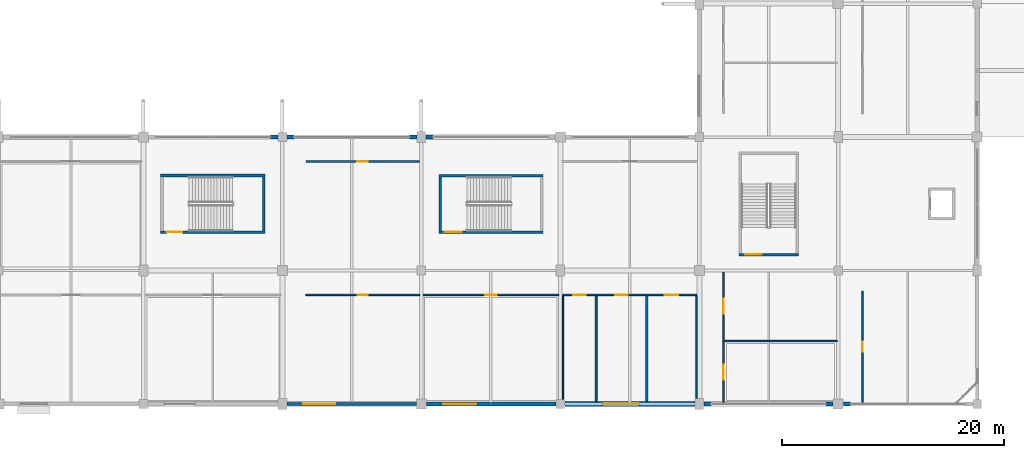
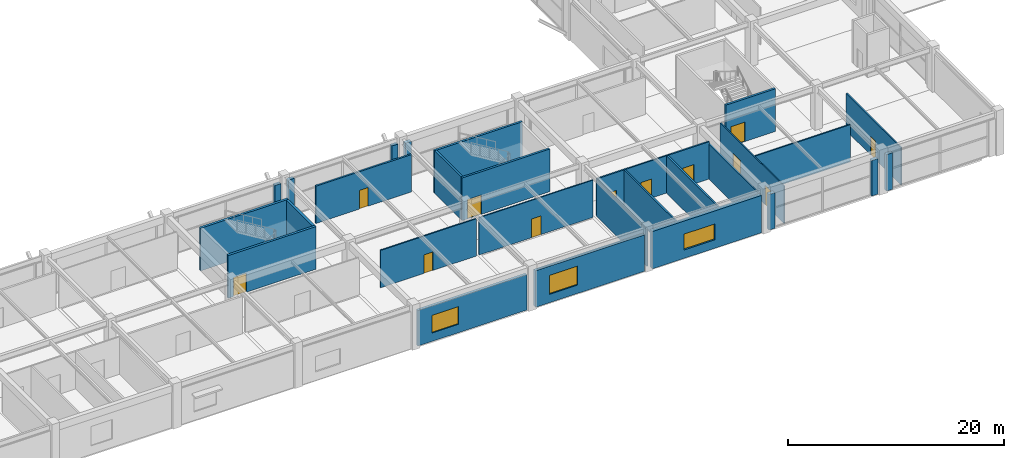
# One storey, part 74 of 116: 28 walls, 12 doors, 3 windows, 15 openings.
"""IFC4 building model written with IfcOpenShell, lengths in metres."""

from ifc_helpers import new_model, si_unit, direction, frame, frame_2d, origin, place, context, subcontext, project, spatial, rectangle, extrude, material, layer, layer_set, type_object, element, fill, save


model = new_model("IFC4")

# Units and contexts
model_context = context("Model", 3, precision=1e-05, world=origin(), true_north=direction((0.0, 1.0)))
body_context = subcontext(model_context, "Body", "Model", "MODEL_VIEW")
ifc_project = project(units=[si_unit("LENGTHUNIT", "METRE"), si_unit("AREAUNIT", "SQUARE_METRE"), si_unit("VOLUMEUNIT", "CUBIC_METRE"), si_unit("PLANEANGLEUNIT", "RADIAN"), si_unit("MASSUNIT", "GRAM", prefix="KILO")], contexts=[model_context])

# Site, building, storey
site_placement = place(None, origin())
site = spatial("IfcSite", under=ifc_project, at=site_placement, CompositionType="ELEMENT")
building_placement = place(site_placement, origin())
building = spatial("IfcBuilding", under=site, at=building_placement, Name="Kazenohara Klinker Stadium", CompositionType="ELEMENT")
storey_placement = place(building_placement, frame((0.0, 0.0, 10.199951171875)))
storey = spatial("IfcBuildingStorey", under=building, at=storey_placement, Name="L02", CompositionType="ELEMENT", Elevation=10.199951171875)

# Wall, opening, door
ifc_material_1 = material(Name="Concrete C40/50", Category="concrete")
ifc_layer_1 = layer(ifc_material_1, 0.22998046875)
ifc_layer_set_1 = layer_set([ifc_layer_1], Name="Concrete C40/50")
wall_type_1 = type_object("IfcWallType", Name="WAL-CORE-230", PredefinedType="SHEAR", material=ifc_layer_set_1)
wall_1_placement = place(storey_placement, frame((178.590087890625, 25.43505859375, 0.0), z_axis=(0.0, 0.0, 1.0), x_axis=(1.0, 0.0, 0.0)))
wall_1 = element("IfcWall", 1, at=wall_1_placement, inside=storey, type_object=wall_type_1, Name="Stairwell shear wall ST16 L02 South", PredefinedType="SHEAR", context=body_context, shape_type="SweptSolid", body=[
    extrude(rectangle(XDim=5.31982421875, YDim=0.22998046875, at=frame_2d((2.659912109375, 0.0))), origin(), (0.0, 0.0, 1.0), 4.820068359375),
])
opening_1_placement = place(wall_1_placement, frame((0.550048828125, 0.0, 0.0)))
opening_1 = element("IfcOpeningElement", 2, at=opening_1_placement, cuts=wall_1, Name="Opening SD02", PredefinedType="OPENING", context=body_context, shape_type="SweptSolid", body=[
    extrude(rectangle(XDim=1.5, YDim=2.199951171875, at=frame_2d((0.75, 1.10009765625))), frame((0.0, 0.125, 0.0), z_axis=(0.0, -1.0, 0.0), x_axis=(1.0, 0.0, 0.0)), (0.0, 0.0, 1.0), 0.25),
])
ifc_material_2 = material(Name="Flush painted steel fire door leaf", Category="steel")
door_type_1 = type_object("IfcDoorType", Name="DR-STR-1500x2200", OperationType="NOTDEFINED", PredefinedType="DOOR", material=ifc_material_2)
door_1_placement = place(opening_1_placement, origin())
door_1 = element("IfcDoor", 3, at=door_1_placement, inside=storey, type_object=door_type_1, Name="Escape stairwell fire door ST16-L02", OperationType="SINGLE_SWING_LEFT", OverallHeight=2.199951171875, OverallWidth=1.5, PredefinedType="DOOR", context=body_context, shape_type="SweptSolid", body=[
    extrude(rectangle(XDim=1.5, YDim=2.199951171875, at=frame_2d((0.75, 1.10009765625))), frame((0.0, 0.02490234375, 0.0), z_axis=(0.0, -1.0, 0.0), x_axis=(1.0, 0.0, 0.0)), (0.0, 0.0, 1.0), 0.050048828125),
])
fill(opening_1, door_1)

wall_2_placement = place(storey_placement, frame((151.570068359375, 27.455078125, 0.0), z_axis=(0.0, 0.0, 1.0), x_axis=(1.0, 0.0, 0.0)))
wall_2 = element("IfcWall", 4, at=wall_2_placement, inside=storey, type_object=wall_type_1, Name="Stairwell shear wall ST28 L02 South", PredefinedType="SHEAR", context=body_context, shape_type="SweptSolid", body=[
    extrude(rectangle(XDim=9.35986328125, YDim=0.22998046875, at=frame_2d((4.679931640625, 0.0))), origin(), (0.0, 0.0, 1.0), 4.820068359375),
])
opening_2_placement = place(wall_2_placement, frame((0.550048828125, 0.0, 0.0)))
opening_2 = element("IfcOpeningElement", 5, at=opening_2_placement, cuts=wall_2, Name="Opening SD02", PredefinedType="OPENING", context=body_context, shape_type="SweptSolid", body=[
    extrude(rectangle(XDim=1.5, YDim=2.199951171875, at=frame_2d((0.75, 1.10009765625))), frame((0.0, 0.125, 0.0), z_axis=(0.0, -1.0, 0.0), x_axis=(1.0, 0.0, 0.0)), (0.0, 0.0, 1.0), 0.25),
])
door_2_placement = place(opening_2_placement, origin())
door_2 = element("IfcDoor", 6, at=door_2_placement, inside=storey, type_object=door_type_1, Name="Escape stairwell fire door ST28-L02", OperationType="SINGLE_SWING_LEFT", OverallHeight=2.199951171875, OverallWidth=1.5, PredefinedType="DOOR", context=body_context, shape_type="SweptSolid", body=[
    extrude(rectangle(XDim=1.5, YDim=2.199951171875, at=frame_2d((0.75, 1.10009765625))), frame((0.0, 0.02490234375, 0.0), z_axis=(0.0, -1.0, 0.0), x_axis=(1.0, 0.0, 0.0)), (0.0, 0.0, 1.0), 0.050048828125),
])
fill(opening_2, door_2)

# Walls
wall_3_placement = place(storey_placement, frame((151.570068359375, 32.544921875, 0.0), z_axis=(0.0, 0.0, 1.0), x_axis=(1.0, 0.0, 0.0)))
element("IfcWall", 7, at=wall_3_placement, inside=storey, type_object=wall_type_1, Name="Stairwell shear wall ST28 L02 North", PredefinedType="SHEAR", context=body_context, shape_type="SweptSolid", body=[
    extrude(rectangle(XDim=9.35986328125, YDim=0.22998046875, at=frame_2d((4.679931640625, 0.0))), origin(), (0.0, 0.0, 1.0), 4.820068359375),
])
wall_4_placement = place(storey_placement, frame((151.68505859375, 27.570068359375, 0.0), z_axis=(0.0, 0.0, 1.0), x_axis=(0.0, 1.0, 0.0)))
element("IfcWall", 8, at=wall_4_placement, inside=storey, type_object=wall_type_1, Name="Stairwell shear wall ST28 L02 West", PredefinedType="SHEAR", context=body_context, shape_type="SweptSolid", body=[
    extrude(rectangle(XDim=4.85986328125, YDim=0.22998046875, at=frame_2d((2.429931640625, 0.0))), origin(), (0.0, 0.0, 1.0), 4.820068359375),
])

# Wall, opening, door
ifc_layer_2 = layer(ifc_material_1, 0.25)
ifc_layer_set_2 = layer_set([ifc_layer_2], Name="Concrete C40/50")
wall_type_2 = type_object("IfcWallType", Name="WAL-CORE-250", PredefinedType="SHEAR", material=ifc_layer_set_2)
wall_5_placement = place(storey_placement, frame((126.550048828125, 27.455078125, 0.0), z_axis=(0.0, 0.0, 1.0), x_axis=(1.0, 0.0, 0.0)))
wall_5 = element("IfcWall", 9, at=wall_5_placement, inside=storey, type_object=wall_type_2, Name="Stairwell shear wall ST27 L02 South", PredefinedType="SHEAR", context=body_context, shape_type="SweptSolid", body=[
    extrude(rectangle(XDim=9.39990234375, YDim=0.25, at=frame_2d((4.699951171875, 0.0))), origin(), (0.0, 0.0, 1.0), 4.820068359375),
])
opening_3_placement = place(wall_5_placement, frame((0.550048828125, 0.0, 0.0)))
opening_3 = element("IfcOpeningElement", 10, at=opening_3_placement, cuts=wall_5, Name="Opening SD01", PredefinedType="OPENING", context=body_context, shape_type="SweptSolid", body=[
    extrude(rectangle(XDim=1.39990234375, YDim=2.14990234375, at=frame_2d((0.699951171875, 1.074951171875))), frame((0.0, 0.135009765625, 0.0), z_axis=(0.0, -1.0, 0.0), x_axis=(1.0, 0.0, 0.0)), (0.0, 0.0, 1.0), 0.27001953125),
])
door_type_2 = type_object("IfcDoorType", Name="DR-STR-1400x2150", OperationType="NOTDEFINED", PredefinedType="DOOR", material=ifc_material_2)
door_3_placement = place(opening_3_placement, origin())
door_3 = element("IfcDoor", 11, at=door_3_placement, inside=storey, type_object=door_type_2, Name="Escape stairwell fire door ST27-L02", OperationType="SINGLE_SWING_LEFT", OverallHeight=2.14990234375, OverallWidth=1.39990234375, PredefinedType="DOOR", context=body_context, shape_type="SweptSolid", body=[
    extrude(rectangle(XDim=1.39990234375, YDim=2.14990234375, at=frame_2d((0.699951171875, 1.074951171875))), frame((0.0, 0.02490234375, 0.0), z_axis=(0.0, -1.0, 0.0), x_axis=(1.0, 0.0, 0.0)), (0.0, 0.0, 1.0), 0.050048828125),
])
fill(opening_3, door_3)

# Walls
wall_6_placement = place(storey_placement, frame((126.550048828125, 32.544921875, 0.0), z_axis=(0.0, 0.0, 1.0), x_axis=(1.0, 0.0, 0.0)))
element("IfcWall", 12, at=wall_6_placement, inside=storey, type_object=wall_type_2, Name="Stairwell shear wall ST27 L02 North", PredefinedType="SHEAR", context=body_context, shape_type="SweptSolid", body=[
    extrude(rectangle(XDim=9.39990234375, YDim=0.25, at=frame_2d((4.699951171875, 0.0))), origin(), (0.0, 0.0, 1.0), 4.820068359375),
])
wall_7_placement = place(storey_placement, frame((135.824951171875, 27.580078125, 0.0), z_axis=(0.0, 0.0, 1.0), x_axis=(0.0, 1.0, 0.0)))
element("IfcWall", 13, at=wall_7_placement, inside=storey, type_object=wall_type_2, Name="Stairwell shear wall ST27 L02 East", PredefinedType="SHEAR", context=body_context, shape_type="SweptSolid", body=[
    extrude(rectangle(XDim=4.83984375, YDim=0.25, at=frame_2d((2.419921875, 0.0))), origin(), (0.0, 0.0, 1.0), 4.820068359375),
])

# Wall, opening, window
ifc_material_3 = material(Name="Clinker brick masonry", Category="masonry")
ifc_layer_3 = layer(ifc_material_3, 0.280029296875)
ifc_layer_set_3 = layer_set([ifc_layer_3], Name="Clinker brick masonry")
wall_type_3 = type_object("IfcWallType", Name="WAL-EXT-CB280", PredefinedType="SOLIDWALL", material=ifc_layer_set_3)
wall_8_placement = place(storey_placement, frame((137.904052734375, 12.0, 0.0), z_axis=(0.0, 0.0, 1.0), x_axis=(1.0, 0.0, 0.0)))
wall_8 = element("IfcWall", 14, at=wall_8_placement, inside=storey, type_object=wall_type_3, Name="Clinker brick cavity wall EW06 L02 X11-1", PredefinedType="SOLIDWALL", context=body_context, shape_type="SweptSolid", body=[
    extrude(rectangle(XDim=11.641845703125, YDim=0.280029296875, at=frame_2d((5.82080078125, 0.0))), origin(), (0.0, 0.0, 1.0), 4.02001953125),
])
opening_4_placement = place(wall_8_placement, frame((1.5, 0.0, 0.949951171875)))
opening_4 = element("IfcOpeningElement", 15, at=opening_4_placement, cuts=wall_8, Name="Opening W29", PredefinedType="OPENING", context=body_context, shape_type="SweptSolid", body=[
    extrude(rectangle(XDim=2.85009765625, YDim=2.0, at=frame_2d((1.425048828125, 1.0))), frame((0.0, 0.14990234375, 0.0), z_axis=(0.0, -1.0, 0.0), x_axis=(1.0, 0.0, 0.0)), (0.0, 0.0, 1.0), 0.300048828125),
])
ifc_material_4 = material(Name="Dark bronze aluminium frame and triple glazing", Category="aluminium")
window_type_1 = type_object("IfcWindowType", Name="WIN-AS-29", PartitioningType="SINGLE_PANEL", PredefinedType="WINDOW", material=ifc_material_4)
window_1_placement = place(opening_4_placement, origin())
window_1 = element("IfcWindow", 16, at=window_1_placement, inside=storey, type_object=window_type_1, Name="Horizontal-mullion ladder window W29 L02 X11-1", OverallHeight=2.0, OverallWidth=2.85009765625, PartitioningType="SINGLE_PANEL", PredefinedType="WINDOW", context=body_context, shape_type="SweptSolid", body=[
    extrude(rectangle(XDim=2.85009765625, YDim=2.0, at=frame_2d((1.425048828125, 1.0))), frame((0.0, 0.030029296875, 0.0), z_axis=(0.0, -1.0, 0.0), x_axis=(1.0, 0.0, 0.0)), (0.0, 0.0, 1.0), 0.06005859375),
])
fill(opening_4, window_1)

ifc_layer_4 = layer(ifc_material_3, 0.340087890625)
ifc_layer_set_4 = layer_set([ifc_layer_4], Name="Clinker brick masonry")
wall_type_4 = type_object("IfcWallType", Name="WAL-EXT-CB340", PredefinedType="SOLIDWALL", material=ifc_layer_set_4)
wall_9_placement = place(storey_placement, frame((150.4541015625, 12.0, 0.0), z_axis=(0.0, 0.0, 1.0), x_axis=(1.0, 0.0, 0.0)))
wall_9 = element("IfcWall", 17, at=wall_9_placement, inside=storey, type_object=wall_type_4, Name="Clinker brick cavity wall EW04 L02 X12-1", PredefinedType="SOLIDWALL", context=body_context, shape_type="SweptSolid", body=[
    extrude(rectangle(XDim=11.641845703125, YDim=0.340087890625, at=frame_2d((5.82080078125, 0.0))), origin(), (0.0, 0.0, 1.0), 4.1201171875),
])
opening_5_placement = place(wall_9_placement, frame((1.5, 0.0, 0.949951171875)))
opening_5 = element("IfcOpeningElement", 18, at=opening_5_placement, cuts=wall_9, Name="Opening W31", PredefinedType="OPENING", context=body_context, shape_type="SweptSolid", body=[
    extrude(rectangle(XDim=3.0, YDim=2.14990234375, at=frame_2d((1.5, 1.074951171875))), frame((0.0, 0.18017578125, 0.0), z_axis=(0.0, -1.0, 0.0), x_axis=(1.0, 0.0, 0.0)), (0.0, 0.0, 1.0), 0.360107421875),
])
window_type_2 = type_object("IfcWindowType", Name="WIN-AS-31", PartitioningType="SINGLE_PANEL", PredefinedType="WINDOW", material=ifc_material_4)
window_2_placement = place(opening_5_placement, origin())
window_2 = element("IfcWindow", 19, at=window_2_placement, inside=storey, type_object=window_type_2, Name="Horizontal-mullion ladder window W31 L02 X12-1", OverallHeight=2.14990234375, OverallWidth=3.0, PartitioningType="SINGLE_PANEL", PredefinedType="WINDOW", context=body_context, shape_type="SweptSolid", body=[
    extrude(rectangle(XDim=3.0, YDim=2.14990234375, at=frame_2d((1.5, 1.074951171875))), frame((0.0, 0.030029296875, 0.0), z_axis=(0.0, -1.0, 0.0), x_axis=(1.0, 0.0, 0.0)), (0.0, 0.0, 1.0), 0.06005859375),
])
fill(opening_5, window_2)

# Walls
ifc_layer_5 = layer(ifc_material_3, 0.3701171875)
ifc_layer_set_5 = layer_set([ifc_layer_5], Name="Clinker brick masonry")
wall_type_5 = type_object("IfcWallType", Name="WAL-EXT-CB370", PredefinedType="SOLIDWALL", material=ifc_layer_set_5)
wall_10_placement = place(storey_placement, frame((136.446044921875, 36.0, 0.0), z_axis=(0.0, 0.0, 1.0), x_axis=(1.0, 0.0, 0.0)))
element("IfcWall", 20, at=wall_10_placement, inside=storey, type_object=wall_type_5, Name="Clinker brick curtain-wall jamb pier L02 X10-3 B", PredefinedType="SOLIDWALL", context=body_context, shape_type="SweptSolid", body=[
    extrude(rectangle(XDim=0.64990234375, YDim=0.3701171875, at=frame_2d((0.324951171875, 0.0))), origin(), (0.0, 0.0, 1.0), 4.1201171875),
])
for number, where, z_axis, x_axis, name in (
    (21, (137.904052734375, 36.0, 0.0), (0.0, 0.0, 1.0), (1.0, 0.0, 0.0), "Clinker brick curtain-wall jamb pier L02 X11-3 A"),
    (22, (148.946044921875, 36.0, 0.0), (0.0, 0.0, 1.0), (1.0, 0.0, 0.0), "Clinker brick curtain-wall jamb pier L02 X11-3 B"),
):
    element("IfcWall", number, at=place(storey_placement, frame(where, z_axis=z_axis, x_axis=x_axis)), inside=storey, type_object=wall_type_5, Name=name, PredefinedType="SOLIDWALL", context=body_context, shape_type="SweptSolid", body=[
        extrude(rectangle(XDim=0.64990234375, YDim=0.3701171875, at=frame_2d((0.324951171875, 0.0))), origin(), (0.0, 0.0, 1.0), 4.219970703125),
    ])
for number, where, z_axis, x_axis, name in (
    (23, (150.404052734375, 36.0, 0.0), (0.0, 0.0, 1.0), (1.0, 0.0, 0.0), "Clinker brick curtain-wall jamb pier L02 X12-3 A"),
    (24, (175.404052734375, 12.0, 0.0), (0.0, 0.0, 1.0), (1.0, 0.0, 0.0), "Clinker brick curtain-wall jamb pier L02 X14-1 A"),
    (25, (186.39599609375, 12.0, 0.0), (0.0, 0.0, 1.0), (1.0, 0.0, 0.0), "Clinker brick curtain-wall jamb pier L02 X14-1 B"),
):
    element("IfcWall", number, at=place(storey_placement, frame(where, z_axis=z_axis, x_axis=x_axis)), inside=storey, type_object=wall_type_5, Name=name, PredefinedType="SOLIDWALL", context=body_context, shape_type="SweptSolid", body=[
        extrude(rectangle(XDim=0.64990234375, YDim=0.3701171875, at=frame_2d((0.324951171875, 0.0))), origin(), (0.0, 0.0, 1.0), 4.02001953125),
    ])
wall_11_placement = place(storey_placement, frame((187.9541015625, 12.0, 0.0), z_axis=(0.0, 0.0, 1.0), x_axis=(1.0, 0.0, 0.0)))
element("IfcWall", 26, at=wall_11_placement, inside=storey, type_object=wall_type_5, Name="Clinker brick curtain-wall jamb pier L02 X15-1 A", PredefinedType="SOLIDWALL", context=body_context, shape_type="SweptSolid", body=[
    extrude(rectangle(XDim=0.64990234375, YDim=0.3701171875, at=frame_2d((0.324951171875, 0.0))), origin(), (0.0, 0.0, 1.0), 4.1201171875),
])

# Wall, opening, window
ifc_layer_6 = layer(ifc_material_3, 0.409912109375)
ifc_layer_set_6 = layer_set([ifc_layer_6], Name="Clinker brick masonry")
wall_type_6 = type_object("IfcWallType", Name="WAL-EXT-CB410", PredefinedType="SOLIDWALL", material=ifc_layer_set_6)
wall_12_placement = place(storey_placement, frame((162.904052734375, 12.0, 0.0), z_axis=(0.0, 0.0, 1.0), x_axis=(1.0, 0.0, 0.0)))
wall_12 = element("IfcWall", 27, at=wall_12_placement, inside=storey, type_object=wall_type_6, Name="Clinker brick cavity wall EW02 L02 X13-1", PredefinedType="SOLIDWALL", context=body_context, shape_type="SweptSolid", body=[
    extrude(rectangle(XDim=11.69189453125, YDim=0.409912109375, at=frame_2d((5.845947265625, 0.0))), origin(), (0.0, 0.0, 1.0), 4.219970703125),
])
opening_6_placement = place(wall_12_placement, frame((3.404052734375, 0.0, 0.949951171875)))
opening_6 = element("IfcOpeningElement", 28, at=opening_6_placement, cuts=wall_12, Name="Opening W33", PredefinedType="OPENING", context=body_context, shape_type="SweptSolid", body=[
    extrude(rectangle(XDim=3.300048828125, YDim=1.800048828125, at=frame_2d((1.64990234375, 0.89990234375))), frame((0.0, 0.21484375, 0.0), z_axis=(0.0, -1.0, 0.0), x_axis=(1.0, 0.0, 0.0)), (0.0, 0.0, 1.0), 0.429931640625),
])
window_type_3 = type_object("IfcWindowType", Name="WIN-AS-33", PartitioningType="SINGLE_PANEL", PredefinedType="WINDOW", material=ifc_material_4)
window_3_placement = place(opening_6_placement, origin())
window_3 = element("IfcWindow", 29, at=window_3_placement, inside=storey, type_object=window_type_3, Name="Horizontal-mullion ladder window W33 L02 X13-1", OverallHeight=1.800048828125, OverallWidth=3.300048828125, PartitioningType="SINGLE_PANEL", PredefinedType="WINDOW", context=body_context, shape_type="SweptSolid", body=[
    extrude(rectangle(XDim=3.300048828125, YDim=1.800048828125, at=frame_2d((1.64990234375, 0.89990234375))), frame((0.0, 0.030029296875, 0.0), z_axis=(0.0, -1.0, 0.0), x_axis=(1.0, 0.0, 0.0)), (0.0, 0.0, 1.0), 0.06005859375),
])
fill(opening_6, window_3)

# Wall, opening, door
ifc_material_5 = material(Name="Fire-rated gypsum board on acoustic studs", Category="gypsum")
ifc_layer_7 = layer(ifc_material_5, 0.1201171875)
ifc_layer_set_7 = layer_set([ifc_layer_7], Name="Fire-rated gypsum board on acoustic studs")
wall_type_7 = type_object("IfcWallType", Name="WAL-INT-P120", PredefinedType="PARTITIONING", material=ifc_layer_set_7)
wall_13_placement = place(storey_placement, frame((150.159912109375, 21.81005859375, 0.0), z_axis=(0.0, 0.0, 1.0), x_axis=(1.0, 0.0, 0.0)))
wall_13 = element("IfcWall", 30, at=wall_13_placement, inside=storey, type_object=wall_type_7, Name="Interior partition wall PT02 SPC-L02-12-01-1-1", PredefinedType="PARTITIONING", context=body_context, shape_type="SweptSolid", body=[
    extrude(rectangle(XDim=12.18017578125, YDim=0.1201171875, at=frame_2d((6.090087890625, 0.0))), origin(), (0.0, 0.0, 1.0), 4.219970703125),
])
opening_7_placement = place(wall_13_placement, frame((6.60498046875, 0.0, 0.0), z_axis=(0.0, 0.0, 1.0), x_axis=(-1.0, 0.0, 0.0)))
opening_7 = element("IfcOpeningElement", 31, at=opening_7_placement, cuts=wall_13, Name="Opening ID06", PredefinedType="OPENING", context=body_context, shape_type="SweptSolid", body=[
    extrude(rectangle(XDim=1.030029296875, YDim=2.1201171875, at=frame_2d((0.51513671875, 1.06005859375))), frame((0.0, 0.070068359375, 0.0), z_axis=(0.0, -1.0, 0.0), x_axis=(1.0, 0.0, 0.0)), (0.0, 0.0, 1.0), 0.14013671875),
])
ifc_material_6 = material(Name="Solid-core Hokkaido oak fire door", Category="wood")
door_type_3 = type_object("IfcDoorType", Name="DR-INT-06", OperationType="NOTDEFINED", PredefinedType="DOOR", material=ifc_material_6)
door_4_placement = place(opening_7_placement, origin())
door_4 = element("IfcDoor", 32, at=door_4_placement, inside=storey, type_object=door_type_3, Name="Interior door ID06 Hospitality Culinary Catering Kitchen L02-1201A", OperationType="SINGLE_SWING_LEFT", OverallHeight=2.1201171875, OverallWidth=1.030029296875, PredefinedType="DOOR", context=body_context, shape_type="SweptSolid", body=[
    extrude(rectangle(XDim=1.030029296875, YDim=2.1201171875, at=frame_2d((0.51513671875, 1.06005859375))), frame((0.0, 0.02490234375, 0.0), z_axis=(0.0, -1.0, 0.0), x_axis=(1.0, 0.0, 0.0)), (0.0, 0.0, 1.0), 0.050048828125),
])
fill(opening_7, door_4)

# Wall
wall_14_placement = place(storey_placement, frame((162.739990234375, 12.404052734375, 0.0), z_axis=(0.0, 0.0, 1.0), x_axis=(0.0, 1.0, 0.0)))
element("IfcWall", 33, at=wall_14_placement, inside=storey, type_object=wall_type_7, Name="Interior partition wall PT02 SPC-L02-13-01-1-1", PredefinedType="PARTITIONING", context=body_context, shape_type="SweptSolid", body=[
    extrude(rectangle(XDim=9.325927734375, YDim=0.1201171875, at=frame_2d((4.6630859375, 0.0))), origin(), (0.0, 0.0, 1.0), 4.192138671875),
])

# Wall, openings, doors
wall_15_placement = place(storey_placement, frame((177.18994140625, 12.02392578125, 0.0), z_axis=(0.0, 0.0, 1.0), x_axis=(0.0, 1.0, 0.0)))
wall_15 = element("IfcWall", 34, at=wall_15_placement, inside=storey, type_object=wall_type_7, Name="Interior partition wall PT02 SPC-L02-14-01-1-1", PredefinedType="PARTITIONING", context=body_context, shape_type="SweptSolid", body=[
    extrude(rectangle(XDim=11.816162109375, YDim=0.1201171875, at=frame_2d((5.908203125, 0.0))), origin(), (0.0, 0.0, 1.0), 4.219970703125),
])
opening_8_placement = place(wall_15_placement, frame((3.505859375, 0.0, 0.0), z_axis=(0.0, 0.0, 1.0), x_axis=(-1.0, 0.0, 0.0)))
opening_8 = element("IfcOpeningElement", 35, at=opening_8_placement, cuts=wall_15, Name="Opening ID16", PredefinedType="OPENING", context=body_context, shape_type="SweptSolid", body=[
    extrude(rectangle(XDim=1.330078125, YDim=2.219970703125, at=frame_2d((0.6650390625, 1.10986328125))), frame((0.0, 0.070068359375, 0.0), z_axis=(0.0, -1.0, 0.0), x_axis=(1.0, 0.0, 0.0)), (0.0, 0.0, 1.0), 0.14013671875),
])
opening_9_placement = place(wall_15_placement, frame((9.44091796875, 0.0, 0.0), z_axis=(0.0, 0.0, 1.0), x_axis=(-1.0, 0.0, 0.0)))
opening_9 = element("IfcOpeningElement", 36, at=opening_9_placement, cuts=wall_15, Name="Opening ID17", PredefinedType="OPENING", context=body_context, shape_type="SweptSolid", body=[
    extrude(rectangle(XDim=1.360107421875, YDim=2.25, at=frame_2d((0.68017578125, 1.125))), frame((0.0, 0.070068359375, 0.0), z_axis=(0.0, -1.0, 0.0), x_axis=(1.0, 0.0, 0.0)), (0.0, 0.0, 1.0), 0.14013671875),
])
door_type_4 = type_object("IfcDoorType", Name="DR-INT-16", OperationType="NOTDEFINED", PredefinedType="DOOR", material=ifc_material_6)
door_5_placement = place(opening_8_placement, origin())
door_5 = element("IfcDoor", 37, at=door_5_placement, inside=storey, type_object=door_type_4, Name="Interior door ID16 Founders Club Hospitality Lounge L02-1401A", OperationType="SINGLE_SWING_LEFT", OverallHeight=2.219970703125, OverallWidth=1.330078125, PredefinedType="DOOR", context=body_context, shape_type="SweptSolid", body=[
    extrude(rectangle(XDim=1.330078125, YDim=2.219970703125, at=frame_2d((0.6650390625, 1.10986328125))), frame((0.0, 0.02490234375, 0.0), z_axis=(0.0, -1.0, 0.0), x_axis=(1.0, 0.0, 0.0)), (0.0, 0.0, 1.0), 0.050048828125),
])
fill(opening_8, door_5)
door_type_5 = type_object("IfcDoorType", Name="DR-INT-17", OperationType="NOTDEFINED", PredefinedType="DOOR", material=ifc_material_6)
door_6_placement = place(opening_9_placement, origin())
door_6 = element("IfcDoor", 38, at=door_6_placement, inside=storey, type_object=door_type_5, Name="Interior door ID17 Sapporo Autumn Banquet Hall L02-1401B", OperationType="SINGLE_SWING_RIGHT", OverallHeight=2.25, OverallWidth=1.360107421875, PredefinedType="DOOR", context=body_context, shape_type="SweptSolid", body=[
    extrude(rectangle(XDim=1.360107421875, YDim=2.25, at=frame_2d((0.68017578125, 1.125))), frame((0.0, 0.02490234375, 0.0), z_axis=(0.0, -1.0, 0.0), x_axis=(1.0, 0.0, 0.0)), (0.0, 0.0, 1.0), 0.050048828125),
])
fill(opening_9, door_6)

# Wall, opening, door
ifc_layer_8 = layer(ifc_material_5, 0.139892578125)
ifc_layer_set_8 = layer_set([ifc_layer_8], Name="Fire-rated gypsum board on acoustic studs")
wall_type_8 = type_object("IfcWallType", Name="WAL-INT-P140", PredefinedType="PARTITIONING", material=ifc_layer_set_8)
wall_16_placement = place(storey_placement, frame((139.6201171875, 21.81005859375, 0.0), z_axis=(0.0, 0.0, 1.0), x_axis=(1.0, 0.0, 0.0)))
wall_16 = element("IfcWall", 39, at=wall_16_placement, inside=storey, type_object=wall_type_8, Name="Interior partition wall PT03 SPC-L02-11-01-1-1", PredefinedType="PARTITIONING", context=body_context, shape_type="SweptSolid", body=[
    extrude(rectangle(XDim=10.219970703125, YDim=0.139892578125, at=frame_2d((5.10986328125, 0.0))), origin(), (0.0, 0.0, 1.0), 4.219970703125),
])
opening_10_placement = place(wall_16_placement, frame((5.56982421875, 0.0, 0.0), z_axis=(0.0, 0.0, 1.0), x_axis=(-1.0, 0.0, 0.0)))
opening_10 = element("IfcOpeningElement", 40, at=opening_10_placement, cuts=wall_16, Name="Opening ID02", PredefinedType="OPENING", context=body_context, shape_type="SweptSolid", body=[
    extrude(rectangle(XDim=0.919921875, YDim=2.10009765625, at=frame_2d((0.4599609375, 1.050048828125))), frame((0.0, 0.080078125, 0.0), z_axis=(0.0, -1.0, 0.0), x_axis=(1.0, 0.0, 0.0)), (0.0, 0.0, 1.0), 0.159912109375),
])
door_type_6 = type_object("IfcDoorType", Name="DR-INT-02", OperationType="NOTDEFINED", PredefinedType="DOOR", material=ifc_material_6)
door_7_placement = place(opening_10_placement, origin())
door_7 = element("IfcDoor", 41, at=door_7_placement, inside=storey, type_object=door_type_6, Name="Interior door ID02 Club Reception Dining Lounge L02-1101A", OperationType="SINGLE_SWING_LEFT", OverallHeight=2.10009765625, OverallWidth=0.919921875, PredefinedType="DOOR", context=body_context, shape_type="SweptSolid", body=[
    extrude(rectangle(XDim=0.919921875, YDim=2.10009765625, at=frame_2d((0.4599609375, 1.050048828125))), frame((0.0, 0.02490234375, 0.0), z_axis=(0.0, -1.0, 0.0), x_axis=(1.0, 0.0, 0.0)), (0.0, 0.0, 1.0), 0.050048828125),
])
fill(opening_10, door_7)

# Walls
wall_17_placement = place(storey_placement, frame((174.760009765625, 12.50390625, 0.0), z_axis=(0.0, 0.0, 1.0), x_axis=(0.0, 1.0, 0.0)))
element("IfcWall", 42, at=wall_17_placement, inside=storey, type_object=wall_type_8, Name="Interior partition wall PT03 SPC-L02-13-01-1-2", PredefinedType="PARTITIONING", context=body_context, shape_type="SweptSolid", body=[
    extrude(rectangle(XDim=9.22607421875, YDim=0.139892578125, at=frame_2d((4.613037109375, 0.0))), origin(), (0.0, 0.0, 1.0), 3.97998046875),
])
wall_18_placement = place(storey_placement, frame((177.2548828125, 17.649658203125, 0.0), z_axis=(0.0, 0.0, 1.0), x_axis=(1.0, 0.0, 0.0)))
element("IfcWall", 43, at=wall_18_placement, inside=storey, type_object=wall_type_8, Name="Interior partition wall PT03 SPC-L02-14-01-1-2", PredefinedType="PARTITIONING", context=body_context, shape_type="SweptSolid", body=[
    extrude(rectangle(XDim=10.1650390625, YDim=0.139892578125, at=frame_2d((5.08251953125, 0.0))), origin(), (0.0, 0.0, 1.0), 4.219970703125),
])

# Wall, openings, doors
ifc_layer_9 = layer(ifc_material_5, 0.14990234375)
ifc_layer_set_9 = layer_set([ifc_layer_9], Name="Fire-rated gypsum board on acoustic studs")
wall_type_9 = type_object("IfcWallType", Name="WAL-INT-P150", PredefinedType="PARTITIONING", material=ifc_layer_set_9)
wall_19_placement = place(storey_placement, frame((162.739990234375, 21.81005859375, 0.0), z_axis=(0.0, 0.0, 1.0), x_axis=(1.0, 0.0, 0.0)))
wall_19 = element("IfcWall", 44, at=wall_19_placement, inside=storey, type_object=wall_type_9, Name="Interior partition wall PT04 SPC-L02-13-01-1-3", PredefinedType="PARTITIONING", context=body_context, shape_type="SweptSolid", body=[
    extrude(rectangle(XDim=12.02001953125, YDim=0.14990234375, at=frame_2d((6.010009765625, 0.0))), origin(), (0.0, 0.0, 1.0), 4.219970703125),
])
opening_11_placement = place(wall_19_placement, frame((2.062255859375, 0.0, 0.0), z_axis=(0.0, 0.0, 1.0), x_axis=(-1.0, 0.0, 0.0)))
opening_11 = element("IfcOpeningElement", 45, at=opening_11_placement, cuts=wall_19, Name="Opening ID09", PredefinedType="OPENING", context=body_context, shape_type="SweptSolid", body=[
    extrude(rectangle(XDim=1.1201171875, YDim=2.179931640625, at=frame_2d((0.56005859375, 1.08984375))), frame((0.0, 0.0849609375, 0.0), z_axis=(0.0, -1.0, 0.0), x_axis=(1.0, 0.0, 0.0)), (0.0, 0.0, 1.0), 0.169921875),
])
opening_12_placement = place(wall_19_placement, frame((5.8330078125, 0.0, 0.0), z_axis=(0.0, 0.0, 1.0), x_axis=(-1.0, 0.0, 0.0)))
opening_12 = element("IfcOpeningElement", 46, at=opening_12_placement, cuts=wall_19, Name="Opening ID10", PredefinedType="OPENING", context=body_context, shape_type="SweptSolid", body=[
    extrude(rectangle(XDim=1.14990234375, YDim=2.14990234375, at=frame_2d((0.574951171875, 1.074951171875))), frame((0.0, 0.0849609375, 0.0), z_axis=(0.0, -1.0, 0.0), x_axis=(1.0, 0.0, 0.0)), (0.0, 0.0, 1.0), 0.169921875),
])
opening_13_placement = place(wall_19_placement, frame((10.35595703125, 0.0, 0.0), z_axis=(0.0, 0.0, 1.0), x_axis=(-1.0, 0.0, 0.0)))
opening_13 = element("IfcOpeningElement", 47, at=opening_13_placement, cuts=wall_19, Name="Opening ID11", PredefinedType="OPENING", context=body_context, shape_type="SweptSolid", body=[
    extrude(rectangle(XDim=1.179931640625, YDim=2.199951171875, at=frame_2d((0.58984375, 1.10009765625))), frame((0.0, 0.0849609375, 0.0), z_axis=(0.0, -1.0, 0.0), x_axis=(1.0, 0.0, 0.0)), (0.0, 0.0, 1.0), 0.169921875),
])
door_type_7 = type_object("IfcDoorType", Name="DR-INT-09", OperationType="NOTDEFINED", PredefinedType="DOOR", material=ifc_material_6)
door_8_placement = place(opening_11_placement, origin())
door_8 = element("IfcDoor", 48, at=door_8_placement, inside=storey, type_object=door_type_7, Name="Interior door ID09 Accessible Water Closet Restroom L02-1301A", OperationType="SINGLE_SWING_RIGHT", OverallHeight=2.179931640625, OverallWidth=1.1201171875, PredefinedType="DOOR", context=body_context, shape_type="SweptSolid", body=[
    extrude(rectangle(XDim=1.1201171875, YDim=2.179931640625, at=frame_2d((0.56005859375, 1.08984375))), frame((0.0, 0.02490234375, 0.0), z_axis=(0.0, -1.0, 0.0), x_axis=(1.0, 0.0, 0.0)), (0.0, 0.0, 1.0), 0.050048828125),
])
fill(opening_11, door_8)
door_type_8 = type_object("IfcDoorType", Name="DR-INT-10", OperationType="NOTDEFINED", PredefinedType="DOOR", material=ifc_material_6)
door_9_placement = place(opening_12_placement, origin())
door_9 = element("IfcDoor", 49, at=door_9_placement, inside=storey, type_object=door_type_8, Name="Interior door ID10 Water Closet Restroom Male L02-1301B", OperationType="SINGLE_SWING_LEFT", OverallHeight=2.14990234375, OverallWidth=1.14990234375, PredefinedType="DOOR", context=body_context, shape_type="SweptSolid", body=[
    extrude(rectangle(XDim=1.14990234375, YDim=2.14990234375, at=frame_2d((0.574951171875, 1.074951171875))), frame((0.0, 0.02490234375, 0.0), z_axis=(0.0, -1.0, 0.0), x_axis=(1.0, 0.0, 0.0)), (0.0, 0.0, 1.0), 0.050048828125),
])
fill(opening_12, door_9)
door_type_9 = type_object("IfcDoorType", Name="DR-INT-11", OperationType="NOTDEFINED", PredefinedType="DOOR", material=ifc_material_6)
door_10_placement = place(opening_13_placement, origin())
door_10 = element("IfcDoor", 50, at=door_10_placement, inside=storey, type_object=door_type_9, Name="Interior door ID11 Water Closet Restroom Female L02-1301C", OperationType="SINGLE_SWING_RIGHT", OverallHeight=2.199951171875, OverallWidth=1.179931640625, PredefinedType="DOOR", context=body_context, shape_type="SweptSolid", body=[
    extrude(rectangle(XDim=1.179931640625, YDim=2.199951171875, at=frame_2d((0.58984375, 1.10009765625))), frame((0.0, 0.02490234375, 0.0), z_axis=(0.0, -1.0, 0.0), x_axis=(1.0, 0.0, 0.0)), (0.0, 0.0, 1.0), 0.050048828125),
])
fill(opening_13, door_10)

# Wall, opening, door
wall_20_placement = place(storey_placement, frame((189.68994140625, 12.02392578125, 0.0), z_axis=(0.0, 0.0, 1.0), x_axis=(0.0, 1.0, 0.0)))
wall_20 = element("IfcWall", 51, at=wall_20_placement, inside=storey, type_object=wall_type_9, Name="Interior partition wall PT04 SPC-L02-15-01-1-1", PredefinedType="PARTITIONING", context=body_context, shape_type="SweptSolid", body=[
    extrude(rectangle(XDim=10.1259765625, YDim=0.14990234375, at=frame_2d((5.06298828125, 0.0))), origin(), (0.0, 0.0, 1.0), 4.219970703125),
])
opening_14_placement = place(wall_20_placement, frame((5.5908203125, 0.0, 0.0), z_axis=(0.0, 0.0, 1.0), x_axis=(-1.0, 0.0, 0.0)))
opening_14 = element("IfcOpeningElement", 52, at=opening_14_placement, cuts=wall_20, Name="Opening ID02", PredefinedType="OPENING", context=body_context, shape_type="SweptSolid", body=[
    extrude(rectangle(XDim=0.919921875, YDim=2.10009765625, at=frame_2d((0.4599609375, 1.050048828125))), frame((0.0, 0.0849609375, 0.0), z_axis=(0.0, -1.0, 0.0), x_axis=(1.0, 0.0, 0.0)), (0.0, 0.0, 1.0), 0.169921875),
])
door_11_placement = place(opening_14_placement, origin())
door_11 = element("IfcDoor", 53, at=door_11_placement, inside=storey, type_object=door_type_6, Name="Interior door ID02 Hospitality Culinary Catering Kitchen L02-1501A", OperationType="SINGLE_SWING_LEFT", OverallHeight=2.10009765625, OverallWidth=0.919921875, PredefinedType="DOOR", context=body_context, shape_type="SweptSolid", body=[
    extrude(rectangle(XDim=0.919921875, YDim=2.10009765625, at=frame_2d((0.4599609375, 1.050048828125))), frame((0.0, 0.02490234375, 0.0), z_axis=(0.0, -1.0, 0.0), x_axis=(1.0, 0.0, 0.0)), (0.0, 0.0, 1.0), 0.050048828125),
])
fill(opening_14, door_11)

# Wall
ifc_layer_10 = layer(ifc_material_5, 0.169921875)
ifc_layer_set_10 = layer_set([ifc_layer_10], Name="Fire-rated gypsum board on acoustic studs")
wall_type_10 = type_object("IfcWallType", Name="WAL-INT-P170", PredefinedType="PARTITIONING", material=ifc_layer_set_10)
wall_21_placement = place(storey_placement, frame((165.72412109375, 12.20703125, 0.0), z_axis=(0.0, 0.0, 1.0), x_axis=(0.0, 1.0, 0.0)))
element("IfcWall", 54, at=wall_21_placement, inside=storey, type_object=wall_type_10, Name="Interior partition wall PT05 SPC-L02-13-01-1-4", PredefinedType="PARTITIONING", context=body_context, shape_type="SweptSolid", body=[
    extrude(rectangle(XDim=9.52294921875, YDim=0.169921875, at=frame_2d((4.761474609375, 0.0))), origin(), (0.0, 0.0, 1.0), 4.219970703125),
])

# Wall, opening, door
ifc_layer_11 = layer(ifc_material_5, 0.18994140625)
ifc_layer_set_11 = layer_set([ifc_layer_11], Name="Fire-rated gypsum board on acoustic studs")
wall_type_11 = type_object("IfcWallType", Name="WAL-INT-P190", PredefinedType="PARTITIONING", material=ifc_layer_set_11)
wall_22_placement = place(storey_placement, frame((139.6201171875, 33.81005859375, 0.0), z_axis=(0.0, 0.0, 1.0), x_axis=(1.0, 0.0, 0.0)))
wall_22 = element("IfcWall", 55, at=wall_22_placement, inside=storey, type_object=wall_type_11, Name="Interior partition wall PT06 SPC-L02-11-02-1-1", PredefinedType="PARTITIONING", context=body_context, shape_type="SweptSolid", body=[
    extrude(rectangle(XDim=10.219970703125, YDim=0.18994140625, at=frame_2d((5.10986328125, 0.0))), origin(), (0.0, 0.0, 1.0), 4.219970703125),
])
opening_15_placement = place(wall_22_placement, frame((5.5849609375, 0.0, 0.0), z_axis=(0.0, 0.0, 1.0), x_axis=(-1.0, 0.0, 0.0)))
opening_15 = element("IfcOpeningElement", 56, at=opening_15_placement, cuts=wall_22, Name="Opening ID03", PredefinedType="OPENING", context=body_context, shape_type="SweptSolid", body=[
    extrude(rectangle(XDim=0.949951171875, YDim=2.1201171875, at=frame_2d((0.47509765625, 1.06005859375))), frame((0.0, 0.10498046875, 0.0), z_axis=(0.0, -1.0, 0.0), x_axis=(1.0, 0.0, 0.0)), (0.0, 0.0, 1.0), 0.2099609375),
])
door_type_10 = type_object("IfcDoorType", Name="DR-INT-03", OperationType="NOTDEFINED", PredefinedType="DOOR", material=ifc_material_6)
door_12_placement = place(opening_15_placement, origin())
door_12 = element("IfcDoor", 57, at=door_12_placement, inside=storey, type_object=door_type_10, Name="Interior door ID03 Sapporo Autumn Banquet Hall L02-1102A", OperationType="SINGLE_SWING_RIGHT", OverallHeight=2.1201171875, OverallWidth=0.949951171875, PredefinedType="DOOR", context=body_context, shape_type="SweptSolid", body=[
    extrude(rectangle(XDim=0.949951171875, YDim=2.1201171875, at=frame_2d((0.47509765625, 1.06005859375))), frame((0.0, 0.02490234375, 0.0), z_axis=(0.0, -1.0, 0.0), x_axis=(1.0, 0.0, 0.0)), (0.0, 0.0, 1.0), 0.050048828125),
])
fill(opening_15, door_12)

# Wall
wall_23_placement = place(storey_placement, frame((170.272216796875, 12.20703125, 0.0), z_axis=(0.0, 0.0, 1.0), x_axis=(0.0, 1.0, 0.0)))
element("IfcWall", 58, at=wall_23_placement, inside=storey, type_object=wall_type_11, Name="Interior partition wall PT06 SPC-L02-13-01-1-5", PredefinedType="PARTITIONING", context=body_context, shape_type="SweptSolid", body=[
    extrude(rectangle(XDim=9.52294921875, YDim=0.18994140625, at=frame_2d((4.761474609375, 0.0))), origin(), (0.0, 0.0, 1.0), 4.219970703125),
])

save(model, "model.ifc")
